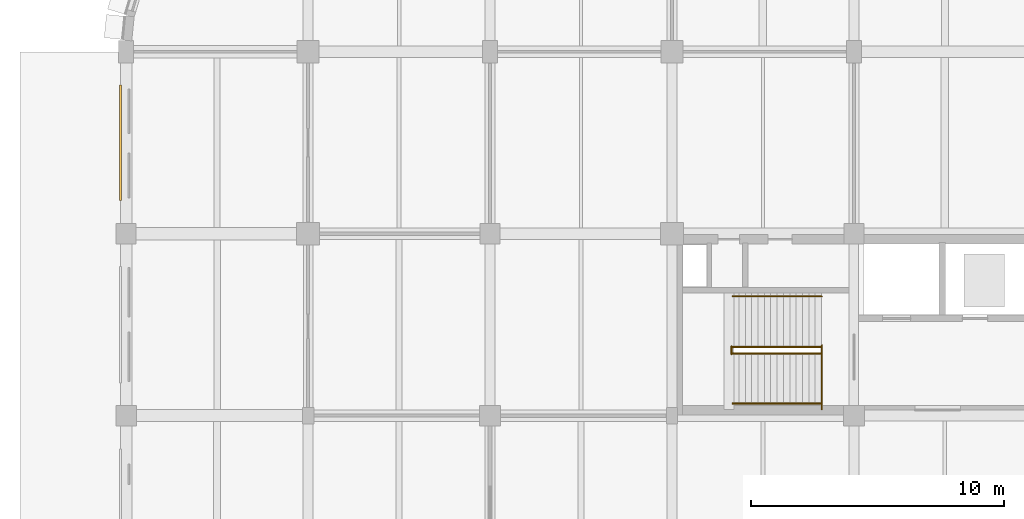
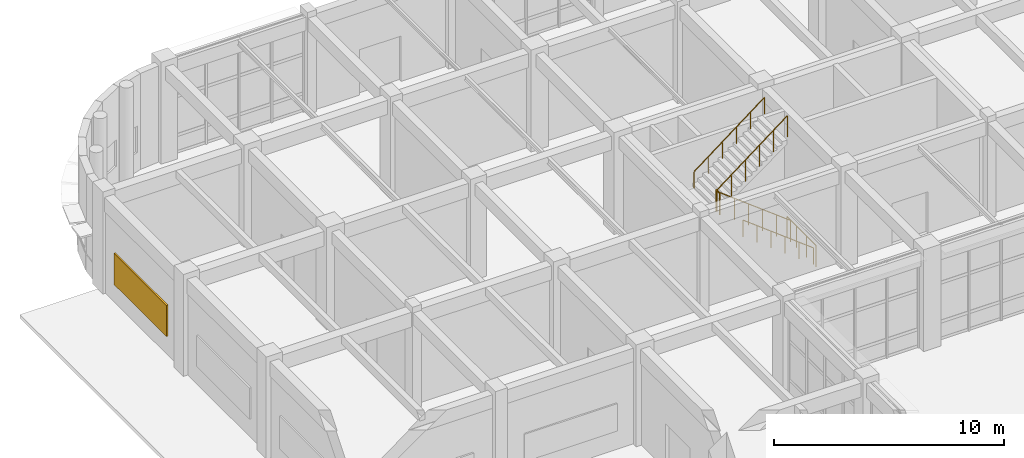
# One storey, part 155 of 160: 6 railings, 1 shading device.
"""IFC4 building model written with IfcOpenShell, lengths in metres."""

from ifc_helpers import new_model, si_unit, direction, frame, origin, origin_2d, place, context, subcontext, project, spatial, rectangle, circle, extrude, material, layer, layer_set, type_object, element, save


model = new_model("IFC4")

# Units and contexts
model_context = context("Model", 3, precision=1e-05, world=origin(), true_north=direction((0.0, 1.0)))
body_context = subcontext(model_context, "Body", "Model", "MODEL_VIEW")
ifc_project = project(units=[si_unit("LENGTHUNIT", "METRE"), si_unit("AREAUNIT", "SQUARE_METRE"), si_unit("VOLUMEUNIT", "CUBIC_METRE"), si_unit("PLANEANGLEUNIT", "RADIAN"), si_unit("MASSUNIT", "GRAM", prefix="KILO")], contexts=[model_context])

# Site, building, storey
site_placement = place(None, origin())
site = spatial("IfcSite", under=ifc_project, at=site_placement, CompositionType="ELEMENT")
building_placement = place(site_placement, origin())
building = spatial("IfcBuilding", under=site, at=building_placement, Name="Thalmaran Polytechnic", CompositionType="ELEMENT")
storey_placement = place(building_placement, origin())
storey = spatial("IfcBuildingStorey", under=building, at=storey_placement, Name="L00", CompositionType="ELEMENT", Elevation=0.0)

# Railings
ifc_material_1 = material(Name="Stainless steel 316", Category="steel")
railing_type_1 = type_object("IfcRailingType", Name="RL-GR01", PredefinedType="GUARDRAIL", material=ifc_material_1)
railing_1_placement = place(storey_placement, frame((27.530029296875, 101.050048828125, 0.0)))
element("IfcRailing", 1, at=railing_1_placement, inside=storey, type_object=railing_type_1, Name="ST2 L00 Landing Edge Guardrail", PredefinedType="GUARDRAIL", context=body_context, shape_type="SweptSolid", body=[
    extrude(circle(Radius=0.02392578125, at=origin_2d()), frame((0.0, 0.0, 1.1259765625), z_axis=(0.0, 1.0, 0.0), x_axis=(-1.0, 0.0, 0.0)), (0.0, 0.0, 1.0), 2.530029296875),
    extrude(circle(Radius=0.02099609375, at=origin_2d()), origin(), (0.0, 0.0, 1.0), 1.101806640625),
    extrude(circle(Radius=0.02099609375, at=origin_2d()), frame((0.0, 0.84326171875, 0.0)), (0.0, 0.0, 1.0), 1.101806640625),
    extrude(circle(Radius=0.02099609375, at=origin_2d()), frame((0.0, 1.686767578125, 0.0)), (0.0, 0.0, 1.0), 1.101806640625),
    extrude(circle(Radius=0.02099609375, at=origin_2d()), frame((0.0, 2.530029296875, 0.0)), (0.0, 0.0, 1.0), 1.101806640625),
])
railing_2_placement = place(storey_placement, frame((27.52001953125, 103.260009765625, 0.0)))
element("IfcRailing", 2, at=railing_2_placement, inside=storey, type_object=railing_type_1, Name="ST2 L00 Lower Flight Guardrail", PredefinedType="GUARDRAIL", context=body_context, shape_type="SweptSolid", body=[
    extrude(circle(Radius=0.02392578125, at=origin_2d()), frame((0.0, 0.0, 1.1259765625), z_axis=(-0.793468160984, 0.0, 0.608611762542), x_axis=(0.0, -1.0, 0.0)), (0.0, 0.0, 1.0), 4.436279296875),
    extrude(circle(Radius=0.02099609375, at=origin_2d()), origin(), (0.0, 0.0, 1.0), 1.101806640625),
    extrude(circle(Radius=0.02099609375, at=origin_2d()), frame((-0.7041015625, 0.0, 0.5400390625)), (0.0, 0.0, 1.0), 1.101806640625),
    extrude(circle(Radius=0.02099609375, at=origin_2d()), frame((-1.407958984375, 0.0, 1.080078125)), (0.0, 0.0, 1.0), 1.101806640625),
    extrude(circle(Radius=0.02099609375, at=origin_2d()), frame((-2.112060546875, 0.0, 1.619873046875)), (0.0, 0.0, 1.0), 1.101806640625),
    extrude(circle(Radius=0.02099609375, at=origin_2d()), frame((-2.81591796875, 0.0, 2.159912109375)), (0.0, 0.0, 1.0), 1.101806640625),
    extrude(circle(Radius=0.02099609375, at=origin_2d()), frame((-3.52001953125, 0.0, 2.699951171875)), (0.0, 0.0, 1.0), 1.101806640625),
])
railing_3_placement = place(storey_placement, frame((23.9599609375, 103.239990234375, 2.699951171875)))
element("IfcRailing", 3, at=railing_3_placement, inside=storey, type_object=railing_type_1, Name="ST2 L00 Half-Landing Well Guardrail", PredefinedType="GUARDRAIL", context=body_context, shape_type="SweptSolid", body=[
    extrude(circle(Radius=0.02392578125, at=origin_2d()), frame((0.0, 0.0, 1.1259765625), z_axis=(0.0, 1.0, 0.0), x_axis=(-1.0, 0.0, 0.0)), (0.0, 0.0, 1.0), 0.300048828125),
    extrude(circle(Radius=0.02099609375, at=origin_2d()), origin(), (0.0, 0.0, 1.0), 1.101806640625),
    extrude(circle(Radius=0.02099609375, at=origin_2d()), frame((0.0, 0.300048828125, 0.0)), (0.0, 0.0, 1.0), 1.101806640625),
])
railing_4_placement = place(storey_placement, frame((24.0, 103.52001953125, 2.699951171875)))
element("IfcRailing", 4, at=railing_4_placement, inside=storey, type_object=railing_type_1, Name="ST2 L00 Upper Flight Guardrail", PredefinedType="GUARDRAIL", context=body_context, shape_type="SweptSolid", body=[
    extrude(circle(Radius=0.02392578125, at=origin_2d()), frame((0.0, 0.0, 1.1259765625), z_axis=(0.793468160984, 0.0, 0.608611762542), x_axis=(0.0, 1.0, 0.0)), (0.0, 0.0, 1.0), 4.436279296875),
    extrude(circle(Radius=0.02099609375, at=origin_2d()), origin(), (0.0, 0.0, 1.0), 1.101806640625),
    extrude(circle(Radius=0.02099609375, at=origin_2d()), frame((0.7041015625, 0.0, 0.5400390625)), (0.0, 0.0, 1.0), 1.101806640625),
    extrude(circle(Radius=0.02099609375, at=origin_2d()), frame((1.407958984375, 0.0, 1.080078125)), (0.0, 0.0, 1.0), 1.101806640625),
    extrude(circle(Radius=0.02099609375, at=origin_2d()), frame((2.112060546875, 0.0, 1.619873046875)), (0.0, 0.0, 1.0), 1.101806640625),
    extrude(circle(Radius=0.02099609375, at=origin_2d()), frame((2.81591796875, 0.0, 2.159912109375)), (0.0, 0.0, 1.0), 1.101806640625),
    extrude(circle(Radius=0.02099609375, at=origin_2d()), frame((3.52001953125, 0.0, 2.699951171875)), (0.0, 0.0, 1.0), 1.101806640625),
])
railing_type_2 = type_object("IfcRailingType", Name="RL-HR01", PredefinedType="HANDRAIL", material=ifc_material_1)
railing_5_placement = place(storey_placement, frame((27.52001953125, 101.280029296875, 0.0)))
element("IfcRailing", 5, at=railing_5_placement, inside=storey, type_object=railing_type_2, Name="ST2 L00 Flight 1 Handrail", PredefinedType="HANDRAIL", context=body_context, shape_type="SweptSolid", body=[
    extrude(circle(Radius=0.02392578125, at=origin_2d()), frame((0.0, 0.0, 0.8759765625), z_axis=(-0.793468160984, 0.0, 0.608611762542), x_axis=(0.0, -1.0, 0.0)), (0.0, 0.0, 1.0), 4.436279296875),
    extrude(circle(Radius=0.02099609375, at=origin_2d()), origin(), (0.0, 0.0, 1.0), 0.851806640625),
    extrude(circle(Radius=0.02099609375, at=origin_2d()), frame((-0.7041015625, 0.0, 0.5400390625)), (0.0, 0.0, 1.0), 0.851806640625),
    extrude(circle(Radius=0.02099609375, at=origin_2d()), frame((-1.407958984375, 0.0, 1.080078125)), (0.0, 0.0, 1.0), 0.851806640625),
    extrude(circle(Radius=0.02099609375, at=origin_2d()), frame((-2.112060546875, 0.0, 1.619873046875)), (0.0, 0.0, 1.0), 0.851806640625),
    extrude(circle(Radius=0.02099609375, at=origin_2d()), frame((-2.81591796875, 0.0, 2.159912109375)), (0.0, 0.0, 1.0), 0.851806640625),
    extrude(circle(Radius=0.02099609375, at=origin_2d()), frame((-3.52001953125, 0.0, 2.699951171875)), (0.0, 0.0, 1.0), 0.851806640625),
])
railing_6_placement = place(storey_placement, frame((24.0, 105.52001953125, 2.699951171875)))
element("IfcRailing", 6, at=railing_6_placement, inside=storey, type_object=railing_type_2, Name="ST2 L00 Flight 2 Handrail", PredefinedType="HANDRAIL", context=body_context, shape_type="SweptSolid", body=[
    extrude(circle(Radius=0.02392578125, at=origin_2d()), frame((0.0, 0.0, 0.8759765625), z_axis=(0.793468160984, 0.0, 0.608611762542), x_axis=(0.0, 1.0, 0.0)), (0.0, 0.0, 1.0), 4.436279296875),
    extrude(circle(Radius=0.02099609375, at=origin_2d()), origin(), (0.0, 0.0, 1.0), 0.851806640625),
    extrude(circle(Radius=0.02099609375, at=origin_2d()), frame((0.7041015625, 0.0, 0.5400390625)), (0.0, 0.0, 1.0), 0.851806640625),
    extrude(circle(Radius=0.02099609375, at=origin_2d()), frame((1.407958984375, 0.0, 1.080078125)), (0.0, 0.0, 1.0), 0.851806640625),
    extrude(circle(Radius=0.02099609375, at=origin_2d()), frame((2.112060546875, 0.0, 1.619873046875)), (0.0, 0.0, 1.0), 0.851806640625),
    extrude(circle(Radius=0.02099609375, at=origin_2d()), frame((2.81591796875, 0.0, 2.159912109375)), (0.0, 0.0, 1.0), 0.851806640625),
    extrude(circle(Radius=0.02099609375, at=origin_2d()), frame((3.52001953125, 0.0, 2.699951171875)), (0.0, 0.0, 1.0), 0.851806640625),
])

# Shading device
ifc_material_2 = material(Name="Perforated anodised-bronze aluminium screen", Category="aluminium")
ifc_layer = layer(ifc_material_2, 0.080078125, Name="Perforated anodised-bronze aluminium screen")
ifc_layer_set = layer_set([ifc_layer], Name="Perforated anodised-bronze aluminium screen")
shading_device_type = type_object("IfcShadingDeviceType", Name="SH-JL01", PredefinedType="JALOUSIE", material=ifc_layer_set)
shading_device_placement = place(storey_placement, frame((-0.219970703125, 111.60009765625, 1.025146484375), z_axis=(0.0, 0.0, 1.0), x_axis=(0.0, 1.0, 0.0)))
element("IfcShadingDevice", 7, at=shading_device_placement, inside=storey, type_object=shading_device_type, Name="Anodised-Bronze Mashrabiya Solar Screen L00-020", PredefinedType="JALOUSIE", context=body_context, shape_type="SweptSolid", body=[
    extrude(rectangle(XDim=4.572021484375, YDim=0.080078125, at=origin_2d()), origin(), (0.0, 0.0, 1.0), 1.64990234375),
])

save(model, "model.ifc")
